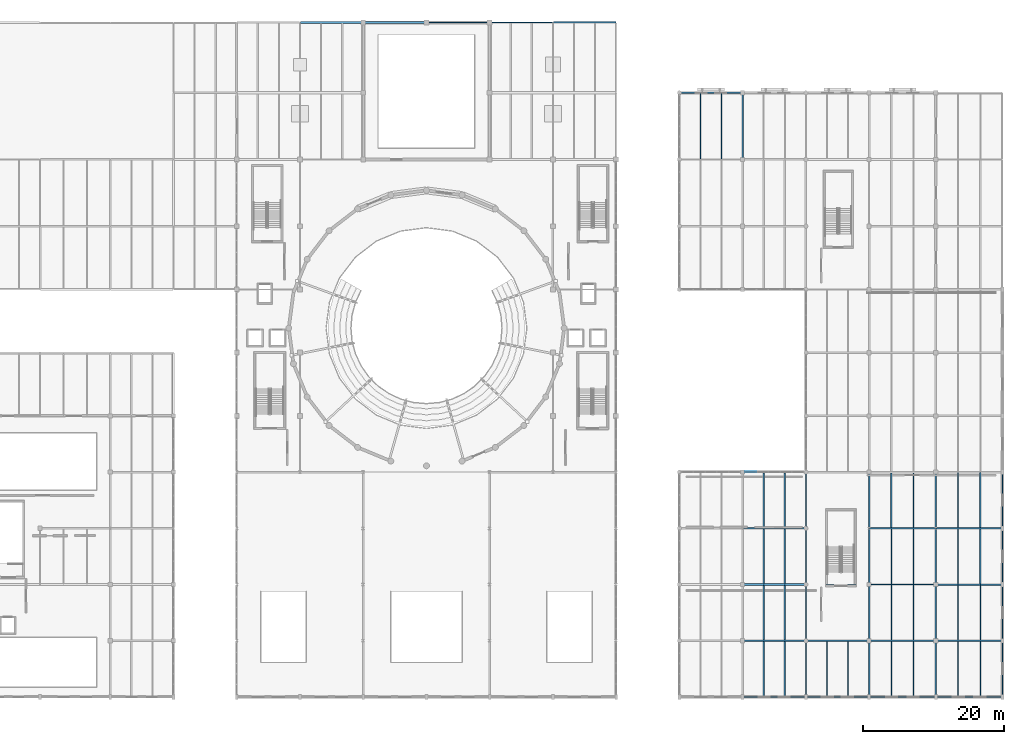
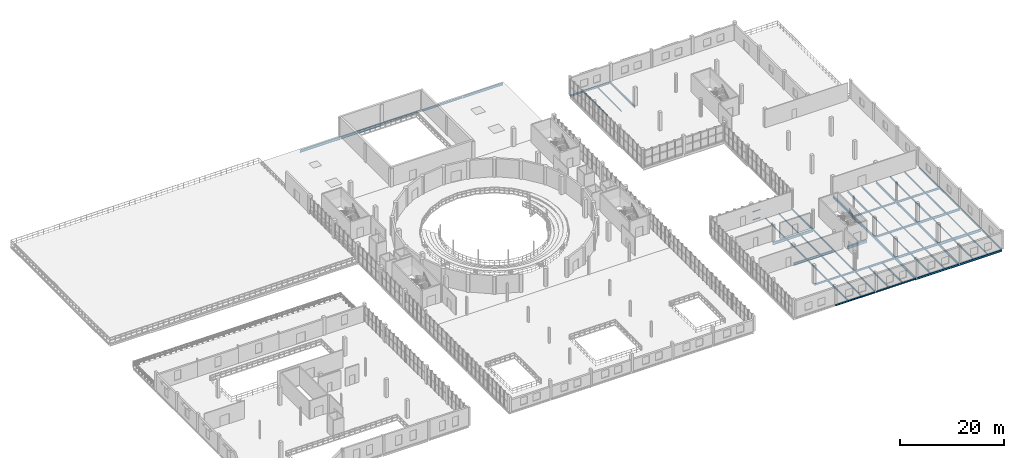
# One storey, part 40 of 73: 66 beams, 2 members, 1 element without a shape of its own.
"""IFC4 building model written with IfcOpenShell, lengths in metres."""

from ifc_helpers import new_model, si_unit, direction, frame, origin, origin_2d, place, context, subcontext, project, spatial, rectangle, i_section, extrude, material, layer, layer_set, material_profile, profile_set, type_object, element, aggregate, save


model = new_model("IFC4")

# Units and contexts
model_context = context("Model", 3, precision=1e-05, world=origin(), true_north=direction((0.0, 1.0)))
body_context = subcontext(model_context, "Body", "Model", "MODEL_VIEW")
ifc_project = project(units=[si_unit("LENGTHUNIT", "METRE"), si_unit("AREAUNIT", "SQUARE_METRE"), si_unit("VOLUMEUNIT", "CUBIC_METRE"), si_unit("PLANEANGLEUNIT", "RADIAN"), si_unit("MASSUNIT", "GRAM", prefix="KILO")], contexts=[model_context])

# Site, building, storey
site_placement = place(None, origin())
site = spatial("IfcSite", under=ifc_project, at=site_placement, CompositionType="ELEMENT")
building_placement = place(site_placement, origin())
building = spatial("IfcBuilding", under=site, at=building_placement, Name="Marnock Terrace Opera House", CompositionType="ELEMENT")
storey_placement = place(building_placement, frame((0.0, 0.0, 14.699951171875)))
storey = spatial("IfcBuildingStorey", under=building, at=storey_placement, Name="L03", CompositionType="ELEMENT", Elevation=14.699951171875)

# Beams
ifc_material_1 = material(Name="Steel Grade 350 (AS/NZS 3679.1)", Category="steel")
ifc_material_profile_1 = material_profile(ifc_material_1, i_section(OverallWidth=0.1708984375, OverallDepth=0.355712890625, WebThickness=0.00732421875, FlangeThickness=0.011474609375, FilletRadius=0.011474609375, at=origin_2d()))
ifc_profile_set_1 = profile_set([ifc_material_profile_1], Name="Steel Grade 350 (AS/NZS 3679.1)")
beam_type_1 = type_object("IfcBeamType", Name="BM-GIRD-360", PredefinedType="BEAM", material=ifc_profile_set_1)
for number, where, z_axis, x_axis, name in (
    (1, (136.0, 8.050048828125, -0.437744140625), (0.0, 1.0, 0.0), (-1.0, 0.0, 0.0), "L03 girder (X=136.0, 8.0..16.0)"),
    (2, (136.0, 16.050048828125, -0.437744140625), (0.0, 1.0, 0.0), (-1.0, 0.0, 0.0), "L03 girder (X=136.0, 16.0..24.0)"),
    (3, (136.0, 24.050048828125, -0.437744140625), (0.0, 1.0, 0.0), (-1.0, 0.0, 0.0), "L03 girder (X=136.0, 24.0..32.0)"),
    (4, (136.0, 32.050048828125, -0.437744140625), (0.0, 1.0, 0.0), (-1.0, 0.0, 0.0), "L03 girder (X=136.0, 32.0..40.0)"),
):
    element("IfcBeam", number, at=place(storey_placement, frame(where, z_axis=z_axis, x_axis=x_axis)), inside=storey, type_object=beam_type_1, Name=name, PredefinedType="BEAM", context=body_context, shape_type="SweptSolid", body=[
        extrude(i_section(OverallWidth=0.1708984375, OverallDepth=0.355712890625, WebThickness=0.00732421875, FlangeThickness=0.011474609375, FilletRadius=0.011474609375, at=origin_2d()), origin(), (0.0, 0.0, 1.0), 7.89990234375),
    ])
ifc_material_profile_2 = material_profile(ifc_material_1, i_section(OverallWidth=0.177978515625, OverallDepth=0.402587890625, WebThickness=0.007568359375, FlangeThickness=0.010986328125, FilletRadius=0.011474609375, at=origin_2d()))
ifc_profile_set_2 = profile_set([ifc_material_profile_2], Name="Steel Grade 350 (AS/NZS 3679.1)")
beam_type_2 = type_object("IfcBeamType", Name="BM-GIRD-410", PredefinedType="BEAM", material=ifc_profile_set_2)
beam_1_placement = place(storey_placement, frame((127.050048828125, 16.0, -0.461181640625), z_axis=(1.0, 0.0, 0.0), x_axis=(0.0, 1.0, 0.0)))
element("IfcBeam", 5, at=beam_1_placement, inside=storey, type_object=beam_type_2, Name="L03 girder (127.0..136.0, Y=16.0)", PredefinedType="BEAM", context=body_context, shape_type="SweptSolid", body=[
    extrude(i_section(OverallWidth=0.177978515625, OverallDepth=0.402587890625, WebThickness=0.007568359375, FlangeThickness=0.010986328125, FilletRadius=0.011474609375, at=origin_2d()), origin(), (0.0, 0.0, 1.0), 8.89990234375),
])
beam_2_placement = place(storey_placement, frame((145.050048828125, 32.0, -0.461181640625), z_axis=(1.0, 0.0, 0.0), x_axis=(0.0, 1.0, 0.0)))
element("IfcBeam", 6, at=beam_2_placement, inside=storey, type_object=beam_type_2, Name="L03 girder (145.0..154.5, Y=32.0)", PredefinedType="BEAM", context=body_context, shape_type="SweptSolid", body=[
    extrude(i_section(OverallWidth=0.177978515625, OverallDepth=0.402587890625, WebThickness=0.007568359375, FlangeThickness=0.010986328125, FilletRadius=0.011474609375, at=origin_2d()), origin(), (0.0, 0.0, 1.0), 9.39990234375),
])
for number, where, z_axis, x_axis, name in (
    (7, (118.050048828125, 94.0, -0.461181640625), (1.0, 0.0, 0.0), (0.0, 1.0, 0.0), "L03 girder (118.0..127.0, Y=94.0)"),
    (8, (82.050048828125, 104.0, -0.461181640625), (1.0, 0.0, 0.0), (0.0, 1.0, 0.0), "L03 girder (82.0..91.0, Y=104.0)"),
):
    element("IfcBeam", number, at=place(storey_placement, frame(where, z_axis=z_axis, x_axis=x_axis)), inside=storey, type_object=beam_type_2, Name=name, PredefinedType="BEAM", context=body_context, shape_type="SweptSolid", body=[
        extrude(i_section(OverallWidth=0.177978515625, OverallDepth=0.402587890625, WebThickness=0.007568359375, FlangeThickness=0.010986328125, FilletRadius=0.011474609375, at=origin_2d()), origin(), (0.0, 0.0, 1.0), 8.89990234375),
    ])
ifc_material_profile_3 = material_profile(ifc_material_1, i_section(OverallWidth=0.19091796875, OverallDepth=0.46044921875, WebThickness=0.010009765625, FlangeThickness=0.01611328125, FilletRadius=0.011474609375, at=origin_2d()))
ifc_profile_set_3 = profile_set([ifc_material_profile_3], Name="Steel Grade 350 (AS/NZS 3679.1)")
beam_type_3 = type_object("IfcBeamType", Name="BM-GIRD-460A", PredefinedType="BEAM", material=ifc_profile_set_3)
beam_3_placement = place(storey_placement, frame((136.050048828125, 16.0, -0.490234375), z_axis=(1.0, 0.0, 0.0), x_axis=(0.0, 1.0, 0.0)))
element("IfcBeam", 9, at=beam_3_placement, inside=storey, type_object=beam_type_3, Name="L03 girder (136.0..145.0, Y=16.0)", PredefinedType="BEAM", context=body_context, shape_type="SweptSolid", body=[
    extrude(i_section(OverallWidth=0.19091796875, OverallDepth=0.46044921875, WebThickness=0.010009765625, FlangeThickness=0.01611328125, FilletRadius=0.011474609375, at=origin_2d()), origin(), (0.0, 0.0, 1.0), 8.89990234375),
])
for number, where, z_axis, x_axis, name in (
    (10, (145.050048828125, 24.0, -0.490234375), (1.0, 0.0, 0.0), (0.0, 1.0, 0.0), "L03 girder (145.0..154.5, Y=24.0)"),
    (11, (154.550048828125, 32.0, -0.490234375), (1.0, 0.0, 0.0), (0.0, 1.0, 0.0), "L03 girder (154.5..164.0, Y=32.0)"),
):
    element("IfcBeam", number, at=place(storey_placement, frame(where, z_axis=z_axis, x_axis=x_axis)), inside=storey, type_object=beam_type_3, Name=name, PredefinedType="BEAM", context=body_context, shape_type="SweptSolid", body=[
        extrude(i_section(OverallWidth=0.19091796875, OverallDepth=0.46044921875, WebThickness=0.010009765625, FlangeThickness=0.01611328125, FilletRadius=0.011474609375, at=origin_2d()), origin(), (0.0, 0.0, 1.0), 9.39990234375),
    ])
beam_4_placement = place(storey_placement, frame((91.050048828125, 104.0, -0.490234375), z_axis=(1.0, 0.0, 0.0), x_axis=(0.0, 1.0, 0.0)))
element("IfcBeam", 12, at=beam_4_placement, inside=storey, type_object=beam_type_3, Name="L03 girder (91.0..100.0, Y=104.0)", PredefinedType="BEAM", context=body_context, shape_type="SweptSolid", body=[
    extrude(i_section(OverallWidth=0.19091796875, OverallDepth=0.46044921875, WebThickness=0.010009765625, FlangeThickness=0.01611328125, FilletRadius=0.011474609375, at=origin_2d()), origin(), (0.0, 0.0, 1.0), 8.89990234375),
])
ifc_material_profile_4 = material_profile(ifc_material_1, i_section(OverallWidth=0.18994140625, OverallDepth=0.45751953125, WebThickness=0.009033203125, FlangeThickness=0.014404296875, FilletRadius=0.011474609375, at=origin_2d()))
ifc_profile_set_4 = profile_set([ifc_material_profile_4], Name="Steel Grade 350 (AS/NZS 3679.1)")
beam_type_4 = type_object("IfcBeamType", Name="BM-GIRD-460B", PredefinedType="BEAM", material=ifc_profile_set_4)
beam_5_placement = place(storey_placement, frame((127.0, 84.550048828125, -0.48876953125), z_axis=(0.0, 1.0, 0.0), x_axis=(-1.0, 0.0, 0.0)))
element("IfcBeam", 13, at=beam_5_placement, inside=storey, type_object=beam_type_4, Name="L03 girder (X=127.0, 84.5..94.0)", PredefinedType="BEAM", context=body_context, shape_type="SweptSolid", body=[
    extrude(i_section(OverallWidth=0.18994140625, OverallDepth=0.45751953125, WebThickness=0.009033203125, FlangeThickness=0.014404296875, FilletRadius=0.011474609375, at=origin_2d()), origin(), (0.0, 0.0, 1.0), 9.39990234375),
])
ifc_material_profile_5 = material_profile(ifc_material_1, i_section(OverallWidth=0.208984375, OverallDepth=0.532958984375, WebThickness=0.01025390625, FlangeThickness=0.015625, FilletRadius=0.013916015625, at=origin_2d()))
ifc_profile_set_5 = profile_set([ifc_material_profile_5], Name="Steel Grade 350 (AS/NZS 3679.1)")
beam_type_5 = type_object("IfcBeamType", Name="BM-GIRD-530A", PredefinedType="BEAM", material=ifc_profile_set_5)
for number, where, z_axis, x_axis, name in (
    (14, (145.050048828125, 16.0, -0.5263671875), (1.0, 0.0, 0.0), (0.0, 1.0, 0.0), "L03 girder (145.0..154.5, Y=16.0)"),
    (15, (154.550048828125, 24.0, -0.5263671875), (1.0, 0.0, 0.0), (0.0, 1.0, 0.0), "L03 girder (154.5..164.0, Y=24.0)"),
):
    element("IfcBeam", number, at=place(storey_placement, frame(where, z_axis=z_axis, x_axis=x_axis)), inside=storey, type_object=beam_type_5, Name=name, PredefinedType="BEAM", context=body_context, shape_type="SweptSolid", body=[
        extrude(i_section(OverallWidth=0.208984375, OverallDepth=0.532958984375, WebThickness=0.01025390625, FlangeThickness=0.015625, FilletRadius=0.013916015625, at=origin_2d()), origin(), (0.0, 0.0, 1.0), 9.39990234375),
    ])
beam_6_placement = place(storey_placement, frame((100.050048828125, 104.0, -0.486572265625), z_axis=(1.0, 0.0, 0.0), x_axis=(0.0, 1.0, 0.0)))
element("IfcBeam", 16, at=beam_6_placement, inside=storey, type_object=beam_type_5, Name="L03 girder (100.0..109.0, Y=104.0)", PredefinedType="BEAM", context=body_context, shape_type="SweptSolid", body=[
    extrude(i_section(OverallWidth=0.208984375, OverallDepth=0.532958984375, WebThickness=0.01025390625, FlangeThickness=0.015625, FilletRadius=0.013916015625, at=origin_2d()), origin(), (0.0, 0.0, 1.0), 8.89990234375),
])
ifc_material_profile_6 = material_profile(ifc_material_1, i_section(OverallWidth=0.208984375, OverallDepth=0.528076171875, WebThickness=0.009521484375, FlangeThickness=0.01318359375, FilletRadius=0.013916015625, at=origin_2d()))
ifc_profile_set_6 = profile_set([ifc_material_profile_6], Name="Steel Grade 350 (AS/NZS 3679.1)")
beam_type_6 = type_object("IfcBeamType", Name="BM-GIRD-530B", PredefinedType="BEAM", material=ifc_profile_set_6)
for number, where, z_axis, x_axis, name in (
    (17, (154.5, 8.050048828125, -0.52392578125), (0.0, 1.0, 0.0), (-1.0, 0.0, 0.0), "L03 girder (X=154.5, 8.0..16.0)"),
    (18, (154.5, 16.050048828125, -0.52392578125), (0.0, 1.0, 0.0), (-1.0, 0.0, 0.0), "L03 girder (X=154.5, 16.0..24.0)"),
    (19, (154.5, 24.050048828125, -0.52392578125), (0.0, 1.0, 0.0), (-1.0, 0.0, 0.0), "L03 girder (X=154.5, 24.0..32.0)"),
    (20, (154.5, 32.050048828125, -0.52392578125), (0.0, 1.0, 0.0), (-1.0, 0.0, 0.0), "L03 girder (X=154.5, 32.0..40.0)"),
):
    element("IfcBeam", number, at=place(storey_placement, frame(where, z_axis=z_axis, x_axis=x_axis)), inside=storey, type_object=beam_type_6, Name=name, PredefinedType="BEAM", context=body_context, shape_type="SweptSolid", body=[
        extrude(i_section(OverallWidth=0.208984375, OverallDepth=0.528076171875, WebThickness=0.009521484375, FlangeThickness=0.01318359375, FilletRadius=0.013916015625, at=origin_2d()), origin(), (0.0, 0.0, 1.0), 7.89990234375),
    ])
ifc_material_profile_7 = material_profile(ifc_material_1, i_section(OverallWidth=0.22900390625, OverallDepth=0.611572265625, WebThickness=0.011962890625, FlangeThickness=0.01953125, FilletRadius=0.013916015625, at=origin_2d()))
ifc_profile_set_7 = profile_set([ifc_material_profile_7], Name="Steel Grade 350 (AS/NZS 3679.1)")
beam_type_7 = type_object("IfcBeamType", Name="BM-GIRD-610A", PredefinedType="BEAM", material=ifc_profile_set_7)
for number, where, z_axis, x_axis, name in (
    (21, (127.050048828125, 24.0, -0.565673828125), (1.0, 0.0, 0.0), (0.0, 1.0, 0.0), "L03 girder (127.0..136.0, Y=24.0)"),
    (22, (73.050048828125, 104.0, -0.565673828125), (1.0, 0.0, 0.0), (0.0, 1.0, 0.0), "L03 girder (73.0..82.0, Y=104.0)"),
):
    element("IfcBeam", number, at=place(storey_placement, frame(where, z_axis=z_axis, x_axis=x_axis)), inside=storey, type_object=beam_type_7, Name=name, PredefinedType="BEAM", context=body_context, shape_type="SweptSolid", body=[
        extrude(i_section(OverallWidth=0.22900390625, OverallDepth=0.611572265625, WebThickness=0.011962890625, FlangeThickness=0.01953125, FilletRadius=0.013916015625, at=origin_2d()), origin(), (0.0, 0.0, 1.0), 8.89990234375),
    ])
ifc_material_profile_8 = material_profile(ifc_material_1, i_section(OverallWidth=0.22802734375, OverallDepth=0.60693359375, WebThickness=0.01123046875, FlangeThickness=0.017333984375, FilletRadius=0.013916015625, at=origin_2d()))
ifc_profile_set_8 = profile_set([ifc_material_profile_8], Name="Steel Grade 350 (AS/NZS 3679.1)")
beam_type_8 = type_object("IfcBeamType", Name="BM-GIRD-610B", PredefinedType="BEAM", material=ifc_profile_set_8)
beam_7_placement = place(storey_placement, frame((154.550048828125, 16.0, -0.5634765625), z_axis=(1.0, 0.0, 0.0), x_axis=(0.0, 1.0, 0.0)))
element("IfcBeam", 23, at=beam_7_placement, inside=storey, type_object=beam_type_8, Name="L03 girder (154.5..164.0, Y=16.0)", PredefinedType="BEAM", context=body_context, shape_type="SweptSolid", body=[
    extrude(i_section(OverallWidth=0.22802734375, OverallDepth=0.60693359375, WebThickness=0.01123046875, FlangeThickness=0.017333984375, FilletRadius=0.013916015625, at=origin_2d()), origin(), (0.0, 0.0, 1.0), 9.39990234375),
])
for number, where, z_axis, x_axis, name in (
    (24, (127.050048828125, 32.0, -0.5634765625), (1.0, 0.0, 0.0), (0.0, 1.0, 0.0), "L03 girder (127.0..136.0, Y=32.0)"),
    (25, (64.050048828125, 104.0, -0.5634765625), (1.0, 0.0, 0.0), (0.0, 1.0, 0.0), "L03 girder (64.0..73.0, Y=104.0)"),
):
    element("IfcBeam", number, at=place(storey_placement, frame(where, z_axis=z_axis, x_axis=x_axis)), inside=storey, type_object=beam_type_8, Name=name, PredefinedType="BEAM", context=body_context, shape_type="SweptSolid", body=[
        extrude(i_section(OverallWidth=0.22802734375, OverallDepth=0.60693359375, WebThickness=0.01123046875, FlangeThickness=0.017333984375, FilletRadius=0.013916015625, at=origin_2d()), origin(), (0.0, 0.0, 1.0), 8.89990234375),
    ])
ifc_material_profile_9 = material_profile(ifc_material_1, i_section(OverallWidth=0.22802734375, OverallDepth=0.60205078125, WebThickness=0.010498046875, FlangeThickness=0.014892578125, FilletRadius=0.013916015625, at=origin_2d()))
ifc_profile_set_9 = profile_set([ifc_material_profile_9], Name="Steel Grade 350 (AS/NZS 3679.1)")
beam_type_9 = type_object("IfcBeamType", Name="BM-GIRD-610C", PredefinedType="BEAM", material=ifc_profile_set_9)
for number, where, z_axis, x_axis, name in (
    (26, (145.0, 8.050048828125, -0.56103515625), (0.0, 1.0, 0.0), (-1.0, 0.0, 0.0), "L03 girder (X=145.0, 8.0..16.0)"),
    (27, (145.0, 16.050048828125, -0.56103515625), (0.0, 1.0, 0.0), (-1.0, 0.0, 0.0), "L03 girder (X=145.0, 16.0..24.0)"),
    (28, (145.0, 24.050048828125, -0.56103515625), (0.0, 1.0, 0.0), (-1.0, 0.0, 0.0), "L03 girder (X=145.0, 24.0..32.0)"),
    (29, (145.0, 32.050048828125, -0.56103515625), (0.0, 1.0, 0.0), (-1.0, 0.0, 0.0), "L03 girder (X=145.0, 32.0..40.0)"),
):
    element("IfcBeam", number, at=place(storey_placement, frame(where, z_axis=z_axis, x_axis=x_axis)), inside=storey, type_object=beam_type_9, Name=name, PredefinedType="BEAM", context=body_context, shape_type="SweptSolid", body=[
        extrude(i_section(OverallWidth=0.22802734375, OverallDepth=0.60205078125, WebThickness=0.010498046875, FlangeThickness=0.014892578125, FilletRadius=0.013916015625, at=origin_2d()), origin(), (0.0, 0.0, 1.0), 7.89990234375),
    ])
ifc_material_profile_10 = material_profile(ifc_material_1, i_section(OverallWidth=0.14599609375, OverallDepth=0.256103515625, WebThickness=0.00634765625, FlangeThickness=0.010986328125, FilletRadius=0.0087890625, at=origin_2d()))
ifc_profile_set_10 = profile_set([ifc_material_profile_10], Name="Steel Grade 350 (AS/NZS 3679.1)")
beam_type_10 = type_object("IfcBeamType", Name="BM-JOIST-250", PredefinedType="JOIST", material=ifc_profile_set_10)
for number, where, z_axis, x_axis, name in (
    (30, (148.166748046875, 24.090576171875, -0.387939453125), (0.0, 1.0, 0.0), (-1.0, 0.0, 0.0), "L03 secondary joist 16.3.1"),
    (31, (151.333251953125, 24.090576171875, -0.387939453125), (0.0, 1.0, 0.0), (-1.0, 0.0, 0.0), "L03 secondary joist 16.3.2"),
):
    element("IfcBeam", number, at=place(storey_placement, frame(where, z_axis=z_axis, x_axis=x_axis)), inside=storey, type_object=beam_type_10, Name=name, PredefinedType="JOIST", context=body_context, shape_type="SweptSolid", body=[
        extrude(i_section(OverallWidth=0.14599609375, OverallDepth=0.256103515625, WebThickness=0.00634765625, FlangeThickness=0.010986328125, FilletRadius=0.0087890625, at=origin_2d()), origin(), (0.0, 0.0, 1.0), 7.825439453125),
    ])
for number, where, z_axis, x_axis, name in (
    (32, (157.666748046875, 16.10888671875, -0.387939453125), (0.0, 1.0, 0.0), (-1.0, 0.0, 0.0), "L03 secondary joist 17.2.1"),
    (33, (160.833251953125, 16.10888671875, -0.387939453125), (0.0, 1.0, 0.0), (-1.0, 0.0, 0.0), "L03 secondary joist 17.2.2"),
):
    element("IfcBeam", number, at=place(storey_placement, frame(where, z_axis=z_axis, x_axis=x_axis)), inside=storey, type_object=beam_type_10, Name=name, PredefinedType="JOIST", context=body_context, shape_type="SweptSolid", body=[
        extrude(i_section(OverallWidth=0.14599609375, OverallDepth=0.256103515625, WebThickness=0.00634765625, FlangeThickness=0.010986328125, FilletRadius=0.0087890625, at=origin_2d()), origin(), (0.0, 0.0, 1.0), 7.79150390625),
    ])
ifc_material_profile_11 = material_profile(ifc_material_1, i_section(OverallWidth=0.166015625, OverallDepth=0.30712890625, WebThickness=0.006591796875, FlangeThickness=0.01171875, FilletRadius=0.011474609375, at=origin_2d()))
ifc_profile_set_11 = profile_set([ifc_material_profile_11], Name="Steel Grade 350 (AS/NZS 3679.1)")
beam_type_11 = type_object("IfcBeamType", Name="BM-JOIST-310A", PredefinedType="JOIST", material=ifc_profile_set_11)
for number, where, z_axis, x_axis, name in (
    (34, (130.0, 24.109619140625, -0.41357421875), (0.0, 1.0, 0.0), (-1.0, 0.0, 0.0), "L03 secondary joist 14.3.1"),
    (35, (133.0, 24.109619140625, -0.41357421875), (0.0, 1.0, 0.0), (-1.0, 0.0, 0.0), "L03 secondary joist 14.3.2"),
):
    element("IfcBeam", number, at=place(storey_placement, frame(where, z_axis=z_axis, x_axis=x_axis)), inside=storey, type_object=beam_type_11, Name=name, PredefinedType="JOIST", context=body_context, shape_type="SweptSolid", body=[
        extrude(i_section(OverallWidth=0.166015625, OverallDepth=0.30712890625, WebThickness=0.006591796875, FlangeThickness=0.01171875, FilletRadius=0.011474609375, at=origin_2d()), origin(), (0.0, 0.0, 1.0), 7.781494140625),
    ])
for number, where, z_axis, x_axis, name in (
    (36, (148.166748046875, 8.090576171875, -0.41357421875), (0.0, 1.0, 0.0), (-1.0, 0.0, 0.0), "L03 secondary joist 16.1.1"),
    (37, (151.333251953125, 8.090576171875, -0.41357421875), (0.0, 1.0, 0.0), (-1.0, 0.0, 0.0), "L03 secondary joist 16.1.2"),
):
    element("IfcBeam", number, at=place(storey_placement, frame(where, z_axis=z_axis, x_axis=x_axis)), inside=storey, type_object=beam_type_11, Name=name, PredefinedType="JOIST", context=body_context, shape_type="SweptSolid", body=[
        extrude(i_section(OverallWidth=0.166015625, OverallDepth=0.30712890625, WebThickness=0.006591796875, FlangeThickness=0.01171875, FilletRadius=0.011474609375, at=origin_2d()), origin(), (0.0, 0.0, 1.0), 7.809814453125),
    ])
ifc_material_profile_12 = material_profile(ifc_material_1, i_section(OverallWidth=0.1650390625, OverallDepth=0.3037109375, WebThickness=0.006103515625, FlangeThickness=0.01025390625, FilletRadius=0.011474609375, at=origin_2d()))
ifc_profile_set_12 = profile_set([ifc_material_profile_12], Name="Steel Grade 350 (AS/NZS 3679.1)")
beam_type_12 = type_object("IfcBeamType", Name="BM-JOIST-310B", PredefinedType="JOIST", material=ifc_profile_set_12)
for number, where, z_axis, x_axis, name in (
    (38, (121.0, 84.590576171875, -0.411865234375), (0.0, 1.0, 0.0), (-1.0, 0.0, 0.0), "L03 secondary joist 13.10.1"),
    (39, (124.0, 84.590576171875, -0.411865234375), (0.0, 1.0, 0.0), (-1.0, 0.0, 0.0), "L03 secondary joist 13.10.2"),
):
    element("IfcBeam", number, at=place(storey_placement, frame(where, z_axis=z_axis, x_axis=x_axis)), inside=storey, type_object=beam_type_12, Name=name, PredefinedType="JOIST", context=body_context, shape_type="SweptSolid", body=[
        extrude(i_section(OverallWidth=0.1650390625, OverallDepth=0.3037109375, WebThickness=0.006103515625, FlangeThickness=0.01025390625, FilletRadius=0.011474609375, at=origin_2d()), origin(), (0.0, 0.0, 1.0), 9.325439453125),
    ])
for number, where, z_axis, x_axis, name in (
    (40, (130.0, 32.10888671875, -0.411865234375), (0.0, 1.0, 0.0), (-1.0, 0.0, 0.0), "L03 secondary joist 14.4.1"),
    (41, (133.0, 32.10888671875, -0.411865234375), (0.0, 1.0, 0.0), (-1.0, 0.0, 0.0), "L03 secondary joist 14.4.2"),
):
    element("IfcBeam", number, at=place(storey_placement, frame(where, z_axis=z_axis, x_axis=x_axis)), inside=storey, type_object=beam_type_12, Name=name, PredefinedType="JOIST", context=body_context, shape_type="SweptSolid", body=[
        extrude(i_section(OverallWidth=0.1650390625, OverallDepth=0.3037109375, WebThickness=0.006103515625, FlangeThickness=0.01025390625, FilletRadius=0.011474609375, at=origin_2d()), origin(), (0.0, 0.0, 1.0), 7.79150390625),
    ])
for number, where, z_axis, x_axis, name in (
    (42, (148.166748046875, 16.099609375, -0.411865234375), (0.0, 1.0, 0.0), (-1.0, 0.0, 0.0), "L03 secondary joist 16.2.1"),
    (43, (151.333251953125, 16.099609375, -0.411865234375), (0.0, 1.0, 0.0), (-1.0, 0.0, 0.0), "L03 secondary joist 16.2.2"),
):
    element("IfcBeam", number, at=place(storey_placement, frame(where, z_axis=z_axis, x_axis=x_axis)), inside=storey, type_object=beam_type_12, Name=name, PredefinedType="JOIST", context=body_context, shape_type="SweptSolid", body=[
        extrude(i_section(OverallWidth=0.1650390625, OverallDepth=0.3037109375, WebThickness=0.006103515625, FlangeThickness=0.01025390625, FilletRadius=0.011474609375, at=origin_2d()), origin(), (0.0, 0.0, 1.0), 7.809814453125),
    ])
for number, where, z_axis, x_axis, name in (
    (44, (157.666748046875, 8.090576171875, -0.411865234375), (0.0, 1.0, 0.0), (-1.0, 0.0, 0.0), "L03 secondary joist 17.1.1"),
    (45, (160.833251953125, 8.090576171875, -0.411865234375), (0.0, 1.0, 0.0), (-1.0, 0.0, 0.0), "L03 secondary joist 17.1.2"),
):
    element("IfcBeam", number, at=place(storey_placement, frame(where, z_axis=z_axis, x_axis=x_axis)), inside=storey, type_object=beam_type_12, Name=name, PredefinedType="JOIST", context=body_context, shape_type="SweptSolid", body=[
        extrude(i_section(OverallWidth=0.1650390625, OverallDepth=0.3037109375, WebThickness=0.006103515625, FlangeThickness=0.01025390625, FilletRadius=0.011474609375, at=origin_2d()), origin(), (0.0, 0.0, 1.0), 7.800537109375),
    ])
ifc_material_profile_13 = material_profile(ifc_material_1, i_section(OverallWidth=0.172119140625, OverallDepth=0.358642578125, WebThickness=0.008056640625, FlangeThickness=0.012939453125, FilletRadius=0.011474609375, at=origin_2d()))
ifc_profile_set_13 = profile_set([ifc_material_profile_13], Name="Steel Grade 350 (AS/NZS 3679.1)")
beam_type_13 = type_object("IfcBeamType", Name="BM-JOIST-360", PredefinedType="JOIST", material=ifc_profile_set_13)
for number, where, z_axis, x_axis, name in (
    (46, (130.0, 16.083984375, -0.439208984375), (0.0, 1.0, 0.0), (-1.0, 0.0, 0.0), "L03 secondary joist 14.2.1"),
    (47, (133.0, 16.083984375, -0.439208984375), (0.0, 1.0, 0.0), (-1.0, 0.0, 0.0), "L03 secondary joist 14.2.2"),
):
    element("IfcBeam", number, at=place(storey_placement, frame(where, z_axis=z_axis, x_axis=x_axis)), inside=storey, type_object=beam_type_13, Name=name, PredefinedType="JOIST", context=body_context, shape_type="SweptSolid", body=[
        extrude(i_section(OverallWidth=0.172119140625, OverallDepth=0.358642578125, WebThickness=0.008056640625, FlangeThickness=0.012939453125, FilletRadius=0.011474609375, at=origin_2d()), origin(), (0.0, 0.0, 1.0), 7.806396484375),
    ])
for number, where, z_axis, x_axis, name in (
    (48, (139.0, 8.0810546875, -0.439208984375), (0.0, 1.0, 0.0), (-1.0, 0.0, 0.0), "L03 secondary joist 15.1.1"),
    (49, (142.0, 8.0810546875, -0.439208984375), (0.0, 1.0, 0.0), (-1.0, 0.0, 0.0), "L03 secondary joist 15.1.2"),
):
    element("IfcBeam", number, at=place(storey_placement, frame(where, z_axis=z_axis, x_axis=x_axis)), inside=storey, type_object=beam_type_13, Name=name, PredefinedType="JOIST", context=body_context, shape_type="SweptSolid", body=[
        extrude(i_section(OverallWidth=0.172119140625, OverallDepth=0.358642578125, WebThickness=0.008056640625, FlangeThickness=0.012939453125, FilletRadius=0.011474609375, at=origin_2d()), origin(), (0.0, 0.0, 1.0), 7.828369140625),
    ])
for number, where, z_axis, x_axis, name in (
    (50, (157.666748046875, 32.090576171875, -0.439208984375), (0.0, 1.0, 0.0), (-1.0, 0.0, 0.0), "L03 secondary joist 17.4.1"),
    (51, (160.833251953125, 32.090576171875, -0.439208984375), (0.0, 1.0, 0.0), (-1.0, 0.0, 0.0), "L03 secondary joist 17.4.2"),
):
    element("IfcBeam", number, at=place(storey_placement, frame(where, z_axis=z_axis, x_axis=x_axis)), inside=storey, type_object=beam_type_13, Name=name, PredefinedType="JOIST", context=body_context, shape_type="SweptSolid", body=[
        extrude(i_section(OverallWidth=0.172119140625, OverallDepth=0.358642578125, WebThickness=0.008056640625, FlangeThickness=0.012939453125, FilletRadius=0.011474609375, at=origin_2d()), origin(), (0.0, 0.0, 1.0), 7.825439453125),
    ])
ifc_material_profile_14 = material_profile(ifc_material_1, i_section(OverallWidth=0.177978515625, OverallDepth=0.406494140625, WebThickness=0.0078125, FlangeThickness=0.0126953125, FilletRadius=0.011474609375, at=origin_2d()))
ifc_profile_set_14 = profile_set([ifc_material_profile_14], Name="Steel Grade 350 (AS/NZS 3679.1)")
beam_type_14 = type_object("IfcBeamType", Name="BM-JOIST-410", PredefinedType="JOIST", material=ifc_profile_set_14)
for number, where, z_axis, x_axis, name in (
    (52, (130.0, 8.0810546875, -0.463134765625), (0.0, 1.0, 0.0), (-1.0, 0.0, 0.0), "L03 secondary joist 14.1.1"),
    (53, (133.0, 8.0810546875, -0.463134765625), (0.0, 1.0, 0.0), (-1.0, 0.0, 0.0), "L03 secondary joist 14.1.2"),
):
    element("IfcBeam", number, at=place(storey_placement, frame(where, z_axis=z_axis, x_axis=x_axis)), inside=storey, type_object=beam_type_14, Name=name, PredefinedType="JOIST", context=body_context, shape_type="SweptSolid", body=[
        extrude(i_section(OverallWidth=0.177978515625, OverallDepth=0.406494140625, WebThickness=0.0078125, FlangeThickness=0.0126953125, FilletRadius=0.011474609375, at=origin_2d()), origin(), (0.0, 0.0, 1.0), 7.8349609375),
    ])
for number, where, z_axis, x_axis, name in (
    (54, (148.166748046875, 32.083984375, -0.463134765625), (0.0, 1.0, 0.0), (-1.0, 0.0, 0.0), "L03 secondary joist 16.4.1"),
    (55, (151.333251953125, 32.083984375, -0.463134765625), (0.0, 1.0, 0.0), (-1.0, 0.0, 0.0), "L03 secondary joist 16.4.2"),
):
    element("IfcBeam", number, at=place(storey_placement, frame(where, z_axis=z_axis, x_axis=x_axis)), inside=storey, type_object=beam_type_14, Name=name, PredefinedType="JOIST", context=body_context, shape_type="SweptSolid", body=[
        extrude(i_section(OverallWidth=0.177978515625, OverallDepth=0.406494140625, WebThickness=0.0078125, FlangeThickness=0.0126953125, FilletRadius=0.011474609375, at=origin_2d()), origin(), (0.0, 0.0, 1.0), 7.806396484375),
    ])
for number, where, z_axis, x_axis, name in (
    (56, (157.666748046875, 24.099609375, -0.463134765625), (0.0, 1.0, 0.0), (-1.0, 0.0, 0.0), "L03 secondary joist 17.3.1"),
    (57, (160.833251953125, 24.099609375, -0.463134765625), (0.0, 1.0, 0.0), (-1.0, 0.0, 0.0), "L03 secondary joist 17.3.2"),
):
    element("IfcBeam", number, at=place(storey_placement, frame(where, z_axis=z_axis, x_axis=x_axis)), inside=storey, type_object=beam_type_14, Name=name, PredefinedType="JOIST", context=body_context, shape_type="SweptSolid", body=[
        extrude(i_section(OverallWidth=0.177978515625, OverallDepth=0.406494140625, WebThickness=0.0078125, FlangeThickness=0.0126953125, FilletRadius=0.011474609375, at=origin_2d()), origin(), (0.0, 0.0, 1.0), 7.809814453125),
    ])
ifc_material_2 = material(Name="Concrete N40 (f'c = 40 MPa)", Category="concrete")
ifc_material_profile_15 = material_profile(ifc_material_2, rectangle(XDim=0.35009765625, YDim=0.60009765625, at=origin_2d()))
ifc_profile_set_15 = profile_set([ifc_material_profile_15], Name="Concrete N40 (f'c = 40 MPa)")
beam_type_15 = type_object("IfcBeamType", Name="BM-LINT-RC350", PredefinedType="LINTEL", material=ifc_profile_set_15)
beam_8_placement = place(storey_placement, frame((138.840087890625, 23.800048828125, -0.60986328125), z_axis=(1.0, 0.0, 0.0), x_axis=(0.0, 1.0, 0.0)))
element("IfcBeam", 58, at=beam_8_placement, inside=storey, type_object=beam_type_15, Name="L02 Core C6 coupling lintel", PredefinedType="LINTEL", context=body_context, shape_type="SweptSolid", body=[
    extrude(rectangle(XDim=0.35009765625, YDim=0.60009765625, at=origin_2d()), origin(), (0.0, 0.0, 1.0), 4.280029296875),
])
ifc_material_profile_16 = material_profile(ifc_material_1, i_section(OverallWidth=0.172119140625, OverallDepth=0.358642578125, WebThickness=0.008056640625, FlangeThickness=0.012939453125, FilletRadius=0.011474609375, at=origin_2d()))
ifc_profile_set_16 = profile_set([ifc_material_profile_16], Name="Steel Grade 350 (AS/NZS 3679.1)")
beam_type_16 = type_object("IfcBeamType", Name="BM-SPAN-360", PredefinedType="SPANDREL", material=ifc_profile_set_16)
for number, where, z_axis, x_axis, name in (
    (59, (127.050048828125, 8.0, -0.439208984375), (1.0, 0.0, 0.0), (0.0, 1.0, 0.0), "L03 girder (127.0..136.0, Y=8.0)"),
    (60, (136.050048828125, 8.0, -0.439208984375), (1.0, 0.0, 0.0), (0.0, 1.0, 0.0), "L03 girder (136.0..145.0, Y=8.0)"),
):
    element("IfcBeam", number, at=place(storey_placement, frame(where, z_axis=z_axis, x_axis=x_axis)), inside=storey, type_object=beam_type_16, Name=name, PredefinedType="SPANDREL", context=body_context, shape_type="SweptSolid", body=[
        extrude(i_section(OverallWidth=0.172119140625, OverallDepth=0.358642578125, WebThickness=0.008056640625, FlangeThickness=0.012939453125, FilletRadius=0.011474609375, at=origin_2d()), origin(), (0.0, 0.0, 1.0), 8.89990234375),
    ])
for number, where, z_axis, x_axis, name in (
    (61, (164.0, 8.050048828125, -0.439208984375), (0.0, 1.0, 0.0), (-1.0, 0.0, 0.0), "L03 girder (X=164.0, 8.0..16.0)"),
    (62, (164.0, 16.050048828125, -0.439208984375), (0.0, 1.0, 0.0), (-1.0, 0.0, 0.0), "L03 girder (X=164.0, 16.0..24.0)"),
    (63, (164.0, 24.050048828125, -0.439208984375), (0.0, 1.0, 0.0), (-1.0, 0.0, 0.0), "L03 girder (X=164.0, 24.0..32.0)"),
    (64, (164.0, 32.050048828125, -0.439208984375), (0.0, 1.0, 0.0), (-1.0, 0.0, 0.0), "L03 girder (X=164.0, 32.0..40.0)"),
):
    element("IfcBeam", number, at=place(storey_placement, frame(where, z_axis=z_axis, x_axis=x_axis)), inside=storey, type_object=beam_type_16, Name=name, PredefinedType="SPANDREL", context=body_context, shape_type="SweptSolid", body=[
        extrude(i_section(OverallWidth=0.172119140625, OverallDepth=0.358642578125, WebThickness=0.008056640625, FlangeThickness=0.012939453125, FilletRadius=0.011474609375, at=origin_2d()), origin(), (0.0, 0.0, 1.0), 7.89990234375),
    ])
ifc_material_profile_17 = material_profile(ifc_material_1, i_section(OverallWidth=0.19091796875, OverallDepth=0.46044921875, WebThickness=0.010009765625, FlangeThickness=0.01611328125, FilletRadius=0.011474609375, at=origin_2d()))
ifc_profile_set_17 = profile_set([ifc_material_profile_17], Name="Steel Grade 350 (AS/NZS 3679.1)")
beam_type_17 = type_object("IfcBeamType", Name="BM-SPAN-460", PredefinedType="SPANDREL", material=ifc_profile_set_17)
for number, where, z_axis, x_axis, name in (
    (65, (145.050048828125, 8.0, -0.490234375), (1.0, 0.0, 0.0), (0.0, 1.0, 0.0), "L03 girder (145.0..154.5, Y=8.0)"),
    (66, (154.550048828125, 8.0, -0.490234375), (1.0, 0.0, 0.0), (0.0, 1.0, 0.0), "L03 girder (154.5..164.0, Y=8.0)"),
):
    element("IfcBeam", number, at=place(storey_placement, frame(where, z_axis=z_axis, x_axis=x_axis)), inside=storey, type_object=beam_type_17, Name=name, PredefinedType="SPANDREL", context=body_context, shape_type="SweptSolid", body=[
        extrude(i_section(OverallWidth=0.19091796875, OverallDepth=0.46044921875, WebThickness=0.010009765625, FlangeThickness=0.01611328125, FilletRadius=0.011474609375, at=origin_2d()), origin(), (0.0, 0.0, 1.0), 9.39990234375),
    ])

# Curtain wall, members
ifc_material_3 = material(Name="Anodised architectural bronze aluminium framing", Category="aluminium")
ifc_layer = layer(ifc_material_3, 0.159912109375)
ifc_layer_set = layer_set([ifc_layer], Name="Anodised architectural bronze aluminium framing")
curtain_wall_type = type_object("IfcCurtainWallType", Name="CW-LOGGIA-86x42", PredefinedType="NOTDEFINED", material=ifc_layer_set)
curtain_wall_placement = place(storey_placement, origin())
curtain_wall = element("IfcCurtainWall", 67, at=curtain_wall_placement, inside=storey, type_object=curtain_wall_type, Name="L03 glazed Beaux-Arts colonnade curtain wall CW-V5-L03-CS2", PredefinedType="NOTDEFINED")
ifc_material_profile_18 = material_profile(ifc_material_3, rectangle(XDim=0.06005859375, YDim=0.1298828125, at=origin_2d()))
ifc_profile_set_18 = profile_set([ifc_material_profile_18], Name="Anodised architectural bronze aluminium framing")
member_type = type_object("IfcMemberType", Name="CWT-60x130", PredefinedType="USERDEFINED", material=ifc_profile_set_18)
member_1_placement = place(storey_placement, frame((127.35595703125, 40.0, 0.030029296875), z_axis=(1.0, 0.0, 0.0), x_axis=(0.0, 1.0, 0.0)))
member_1 = element("IfcMember", 68, at=member_1_placement, type_object=member_type, Name="CW-66 transom 1.1", ObjectType="TRANSOM", PredefinedType="USERDEFINED", context=body_context, shape_type="SweptSolid", body=[
    extrude(rectangle(XDim=0.06005859375, YDim=0.1298828125, at=origin_2d()), origin(), (0.0, 0.0, 1.0), 1.591552734375),
])
member_2_placement = place(storey_placement, frame((127.35595703125, 40.0, 1.917236328125), z_axis=(1.0, 0.0, 0.0), x_axis=(0.0, 1.0, 0.0)))
member_2 = element("IfcMember", 69, at=member_2_placement, type_object=member_type, Name="CW-66 transom 1.2", ObjectType="TRANSOM", PredefinedType="USERDEFINED", context=body_context, shape_type="SweptSolid", body=[
    extrude(rectangle(XDim=0.06005859375, YDim=0.1298828125, at=origin_2d()), origin(), (0.0, 0.0, 1.0), 1.591552734375),
])
aggregate(curtain_wall, [member_1, member_2])

save(model, "model.ifc")
